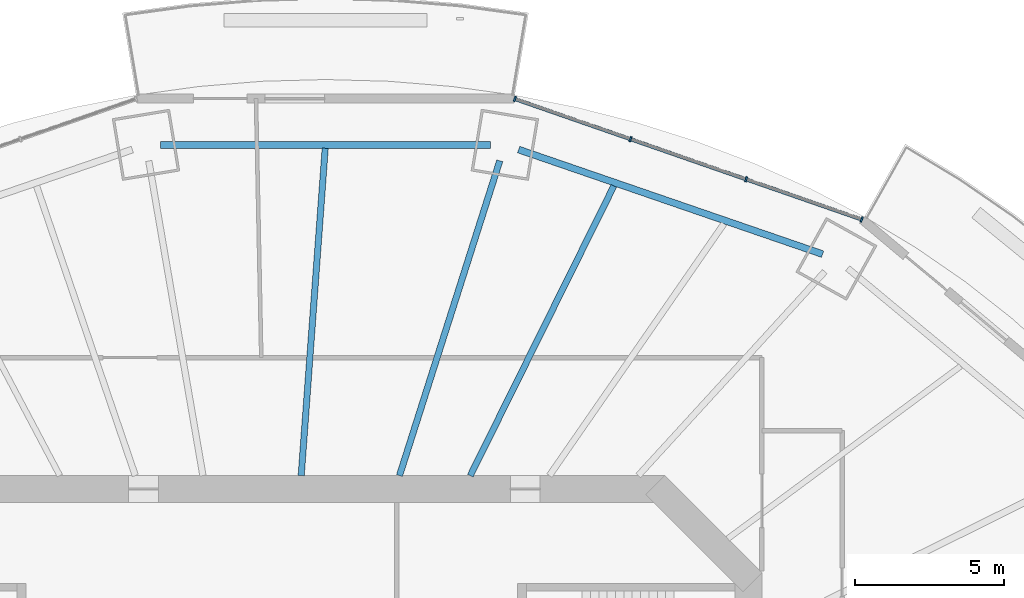
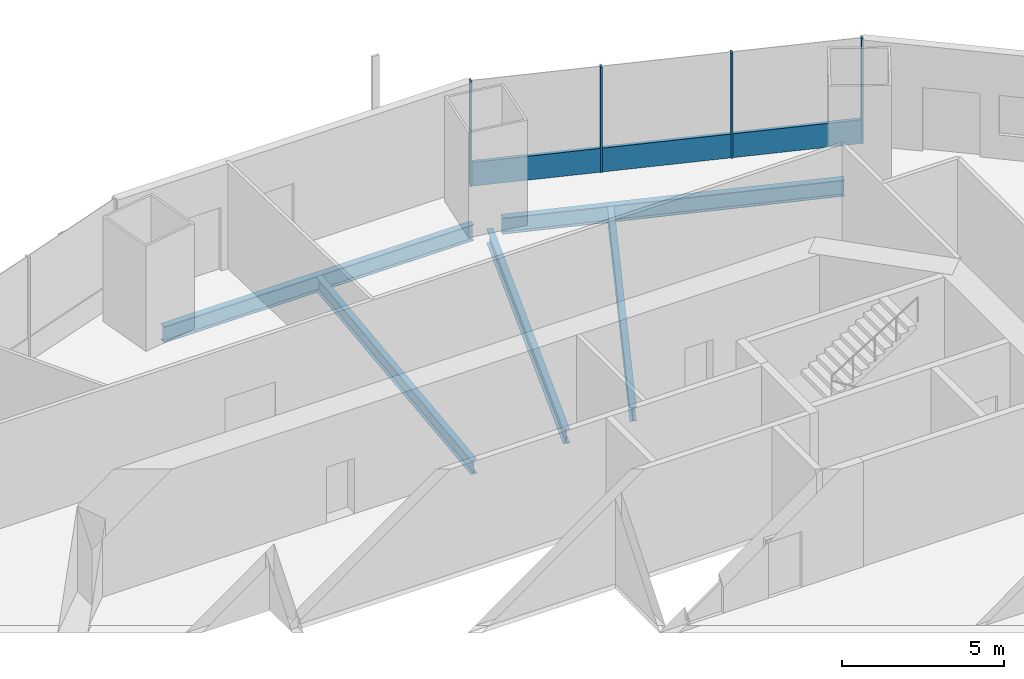
# One storey, part 8 of 20: 5 beams, 5 members, 1 element without a shape of its own.
"""IFC4 building model written with IfcOpenShell, lengths in metres."""

from ifc_helpers import new_model, si_unit, direction, frame, origin, origin_2d, place, context, subcontext, project, spatial, rectangle, i_section, extrude, material, material_profile, profile_set, type_object, element, aggregate, save


model = new_model("IFC4")

# Units and contexts
model_context = context("Model", 3, precision=1e-05, world=origin(), true_north=direction((0.0, 1.0)))
body_context = subcontext(model_context, "Body", "Model", "MODEL_VIEW")
ifc_project = project(units=[si_unit("LENGTHUNIT", "METRE"), si_unit("AREAUNIT", "SQUARE_METRE"), si_unit("VOLUMEUNIT", "CUBIC_METRE"), si_unit("PLANEANGLEUNIT", "RADIAN"), si_unit("MASSUNIT", "GRAM", prefix="KILO")], contexts=[model_context])

# Site, building, storey
site_placement = place(None, origin())
site = spatial("IfcSite", under=ifc_project, at=site_placement, CompositionType="ELEMENT")
building_placement = place(site_placement, origin())
building = spatial("IfcBuilding", under=site, at=building_placement, Name="Marenthal Gate Tower", CompositionType="ELEMENT")
storey_placement = place(building_placement, frame((0.0, 0.0, 181.800048828125)))
storey = spatial("IfcBuildingStorey", under=building, at=storey_placement, Name="L39", CompositionType="ELEMENT", Elevation=181.800048828125)

# Curtain wall, members
ifc_material_1 = material(Name="Aluminium and glass", Category="aluminium")
curtain_wall_type = type_object("IfcCurtainWallType", Name="Curtain wall typical mid", PredefinedType="NOTDEFINED", material=ifc_material_1)
curtain_wall_placement = place(storey_placement, origin())
curtain_wall = element("IfcCurtainWall", 1, at=curtain_wall_placement, inside=storey, type_object=curtain_wall_type, Name="Curtain wall L39 bay 3", PredefinedType="NOTDEFINED")
ifc_material_2 = material(Name="Aluminium", Category="aluminium")
ifc_material_profile_1 = material_profile(ifc_material_2, rectangle(XDim=0.179931640625, YDim=0.06005859375, at=origin_2d()), Name="60x180 aluminium mullion")
ifc_profile_set_1 = profile_set([ifc_material_profile_1], Name="Aluminium")
member_type_1 = type_object("IfcMemberType", Name="Mullion 60x180 typical mid", PredefinedType="MULLION", material=ifc_profile_set_1)
member_1_placement = place(storey_placement, frame((19.8037109375, 22.04736328125, 0.0), z_axis=(0.0, 0.0, 1.0), x_axis=(-0.32821091538, -0.944604464856, 0.0)))
member_1 = element("IfcMember", 2, at=member_1_placement, type_object=member_type_1, Name="Mullion L39 bay 3.1", PredefinedType="MULLION", context=body_context, shape_type="SweptSolid", body=[
    extrude(rectangle(XDim=0.179931640625, YDim=0.06005859375, at=origin_2d()), origin(), (0.0, 0.0, 1.0), 3.969970703125),
])
member_2_placement = place(storey_placement, frame((15.922607421875, 23.39599609375, 0.0), z_axis=(0.0, 0.0, 1.0), x_axis=(-0.32821091538, -0.944604464856, 0.0)))
member_2 = element("IfcMember", 3, at=member_2_placement, type_object=member_type_1, Name="Mullion L39 bay 3.2", PredefinedType="MULLION", context=body_context, shape_type="SweptSolid", body=[
    extrude(rectangle(XDim=0.179931640625, YDim=0.06005859375, at=origin_2d()), origin(), (0.0, 0.0, 1.0), 3.969970703125),
])
member_3_placement = place(storey_placement, frame((12.04150390625, 24.74462890625, 0.0), z_axis=(0.0, 0.0, 1.0), x_axis=(-0.32821091538, -0.944604464856, 0.0)))
member_3 = element("IfcMember", 4, at=member_3_placement, type_object=member_type_1, Name="Mullion L39 bay 3.3", PredefinedType="MULLION", context=body_context, shape_type="SweptSolid", body=[
    extrude(rectangle(XDim=0.179931640625, YDim=0.06005859375, at=origin_2d()), origin(), (0.0, 0.0, 1.0), 3.969970703125),
])
member_4_placement = place(storey_placement, frame((8.160400390625, 26.093017578125, 0.0), z_axis=(0.0, 0.0, 1.0), x_axis=(-0.32821091538, -0.944604464856, 0.0)))
member_4 = element("IfcMember", 5, at=member_4_placement, type_object=member_type_1, Name="Mullion L39 bay 3.4", PredefinedType="MULLION", context=body_context, shape_type="SweptSolid", body=[
    extrude(rectangle(XDim=0.179931640625, YDim=0.06005859375, at=origin_2d()), origin(), (0.0, 0.0, 1.0), 3.969970703125),
])
ifc_material_3 = material(Name="Aluminium", Category="aluminium")
ifc_material_profile_2 = material_profile(ifc_material_3, rectangle(XDim=0.1201171875, YDim=0.89990234375, at=origin_2d()), Name="120x900 aluminium transom")
ifc_profile_set_2 = profile_set([ifc_material_profile_2], Name="Aluminium")
member_type_2 = type_object("IfcMemberType", Name="Transom 120x900 typical mid", PredefinedType="USERDEFINED", material=ifc_profile_set_2)
member_5_placement = place(storey_placement, frame((19.775390625, 22.057373046875, 0.449951171875), z_axis=(-0.944604688319, 0.328210272243, 0.0), x_axis=(-0.328210272243, -0.944604688319, 0.0)))
member_5 = element("IfcMember", 6, at=member_5_placement, type_object=member_type_2, Name="Transom L39 bay 3", ObjectType="TRANSOM", PredefinedType="USERDEFINED", context=body_context, shape_type="SweptSolid", body=[
    extrude(rectangle(XDim=0.1201171875, YDim=0.89990234375, at=origin_2d()), origin(), (0.0, 0.0, 1.0), 12.26611328125),
])
aggregate(curtain_wall, [member_1, member_2, member_3, member_4, member_5])

# Beams
ifc_material_4 = material(Name="Steel S355", Category="steel")
ifc_material_profile_3 = material_profile(ifc_material_4, i_section(OverallWidth=0.2099609375, OverallDepth=0.535888671875, WebThickness=0.010986328125, FlangeThickness=0.017333984375, FilletRadius=0.0126953125, at=origin_2d()), Name="W530X101")
ifc_profile_set_3 = profile_set([ifc_material_profile_3], Name="Steel S355")
beam_type_1 = type_object("IfcBeamType", Name="W530X101 beam", PredefinedType="BEAM", material=ifc_profile_set_3)
beam_1_placement = place(storey_placement, frame((11.482666015625, 23.17333984375, -0.447998046875), z_axis=(-0.443979933234, -0.896036728536, 0.0), x_axis=(0.896036728536, -0.443979933234, 0.0)))
element("IfcBeam", 7, at=beam_1_placement, inside=storey, type_object=beam_type_1, Name="BM-L39-21", PredefinedType="BEAM", context=body_context, shape_type="SweptSolid", body=[
    extrude(i_section(OverallWidth=0.2099609375, OverallDepth=0.535888671875, WebThickness=0.010986328125, FlangeThickness=0.017333984375, FilletRadius=0.0126953125, at=origin_2d()), origin(), (0.0, 0.0, 1.0), 10.8515625),
])
beam_2_placement = place(storey_placement, frame((1.79150390625, 24.438720703125, -0.447998046875), z_axis=(-0.073098738364, -0.997324708633, 0.0), x_axis=(0.997324708633, -0.073098738364, 0.0)))
element("IfcBeam", 8, at=beam_2_placement, inside=storey, type_object=beam_type_1, Name="BM-L39-22", PredefinedType="BEAM", context=body_context, shape_type="SweptSolid", body=[
    extrude(i_section(OverallWidth=0.2099609375, OverallDepth=0.535888671875, WebThickness=0.010986328125, FlangeThickness=0.017333984375, FilletRadius=0.0126953125, at=origin_2d()), origin(), (0.0, 0.0, 1.0), 11.018310546875),
])
ifc_material_5 = material(Name="Steel S355", Category="steel")
ifc_material_profile_4 = material_profile(ifc_material_5, i_section(OverallWidth=0.2119140625, OverallDepth=0.5439453125, WebThickness=0.01318359375, FlangeThickness=0.021240234375, FilletRadius=0.0126953125, at=origin_2d()), Name="W530X123")
ifc_profile_set_4 = profile_set([ifc_material_profile_4], Name="Steel S355")
beam_type_2 = type_object("IfcBeamType", Name="W530X123 beam", PredefinedType="BEAM", material=ifc_profile_set_4)
beam_3_placement = place(storey_placement, frame((7.6533203125, 24.0185546875, -0.4521484375), z_axis=(-0.303587924845, -0.952803427727, 0.0), x_axis=(0.952803427727, -0.303587924845, 0.0)))
element("IfcBeam", 9, at=beam_3_placement, inside=storey, type_object=beam_type_2, Name="BM-L39-04", PredefinedType="BEAM", context=body_context, shape_type="SweptSolid", body=[
    extrude(i_section(OverallWidth=0.2119140625, OverallDepth=0.5439453125, WebThickness=0.01318359375, FlangeThickness=0.021240234375, FilletRadius=0.0126953125, at=origin_2d()), origin(), (0.0, 0.0, 1.0), 11.092041015625),
])
ifc_material_6 = material(Name="Steel S355", Category="steel")
ifc_material_profile_5 = material_profile(ifc_material_6, i_section(OverallWidth=0.22900390625, OverallDepth=0.612060546875, WebThickness=0.011962890625, FlangeThickness=0.01953125, FilletRadius=0.0126953125, at=origin_2d()), Name="W610X125")
ifc_profile_set_5 = profile_set([ifc_material_profile_5], Name="Steel S355")
beam_type_3 = type_object("IfcBeamType", Name="W610X125 beam", PredefinedType="BEAM", material=ifc_profile_set_5)
beam_4_placement = place(storey_placement, frame((18.49072265625, 20.88330078125, -0.486083984375), z_axis=(-0.945596584749, 0.325341511203, 0.0), x_axis=(-0.325341511203, -0.945596584749, 0.0)))
element("IfcBeam", 10, at=beam_4_placement, inside=storey, type_object=beam_type_3, Name="BM-L39-43", PredefinedType="BEAM", context=body_context, shape_type="SweptSolid", body=[
    extrude(i_section(OverallWidth=0.22900390625, OverallDepth=0.612060546875, WebThickness=0.011962890625, FlangeThickness=0.01953125, FilletRadius=0.0126953125, at=origin_2d()), origin(), (0.0, 0.0, 1.0), 10.791748046875),
])
beam_5_placement = place(storey_placement, frame((7.335693359375, 24.55322265625, -0.486083984375), z_axis=(-1.0, 0.0, 0.0), x_axis=(0.0, -1.0, 0.0)))
element("IfcBeam", 11, at=beam_5_placement, inside=storey, type_object=beam_type_3, Name="BM-L39-44", PredefinedType="BEAM", context=body_context, shape_type="SweptSolid", body=[
    extrude(i_section(OverallWidth=0.22900390625, OverallDepth=0.612060546875, WebThickness=0.011962890625, FlangeThickness=0.01953125, FilletRadius=0.0126953125, at=origin_2d()), origin(), (0.0, 0.0, 1.0), 11.0712890625),
])

save(model, "model.ifc")
